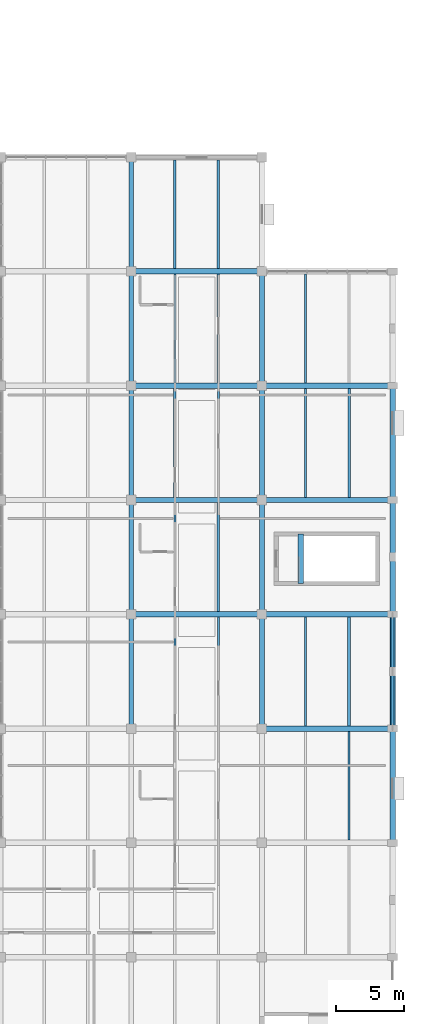
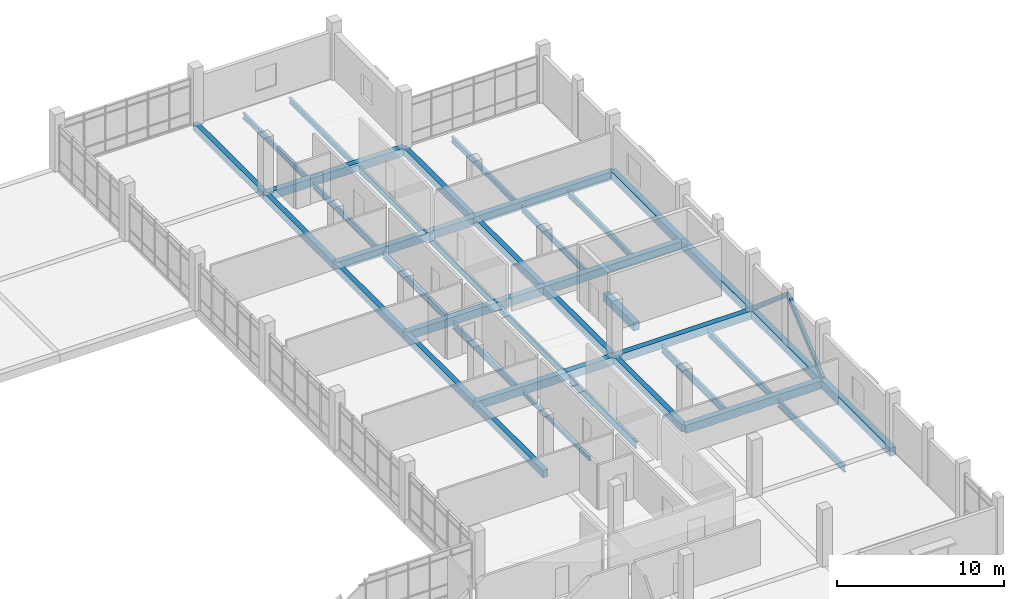
# One storey, part 19 of 57: 38 beams, 2 members.
"""IFC4 building model written with IfcOpenShell, lengths in metres."""

from ifc_helpers import new_model, si_unit, direction, frame, origin, origin_2d, place, context, subcontext, project, spatial, rectangle, hollow_rectangle, i_section, extrude, material, material_profile, profile_set, type_object, element, save


model = new_model("IFC4")

# Units and contexts
model_context = context("Model", 3, precision=1e-05, world=origin(), true_north=direction((0.0, 1.0)))
body_context = subcontext(model_context, "Body", "Model", "MODEL_VIEW")
ifc_project = project(units=[si_unit("LENGTHUNIT", "METRE"), si_unit("AREAUNIT", "SQUARE_METRE"), si_unit("VOLUMEUNIT", "CUBIC_METRE"), si_unit("PLANEANGLEUNIT", "RADIAN"), si_unit("MASSUNIT", "GRAM", prefix="KILO")], contexts=[model_context])

# Site, building, storey
site_placement = place(None, origin())
site = spatial("IfcSite", under=ifc_project, at=site_placement, CompositionType="ELEMENT")
building_placement = place(site_placement, origin())
building = spatial("IfcBuilding", under=site, at=building_placement, Name="Oolite Switchyard Hospital", CompositionType="ELEMENT")
storey_placement = place(building_placement, frame((0.0, 0.0, 17.800048828125)))
storey = spatial("IfcBuildingStorey", under=building, at=storey_placement, Name="L04", CompositionType="ELEMENT", Elevation=17.800048828125)

# Beams
ifc_material_1 = material(Name="Concrete C40/50", Category="concrete")
ifc_material_profile_1 = material_profile(ifc_material_1, rectangle(XDim=0.35009765625, YDim=0.550048828125, at=origin_2d()), Name="RCB350X550")
ifc_profile_set_1 = profile_set([ifc_material_profile_1], Name="Concrete C40/50")
beam_type_1 = type_object("IfcBeamType", Name="BM-RC350X550", PredefinedType="BEAM", material=ifc_profile_set_1)
for number, where, z_axis, x_axis, name in (
    (1, (192.0, 33.60009765625, -0.275146484375), (0.0, 1.0, 0.0), (-1.0, 0.0, 0.0), "L04 Y-Girder 3054"),
    (2, (192.0, 42.0, -0.275146484375), (0.0, 1.0, 0.0), (-1.0, 0.0, 0.0), "L04 Y-Girder 3055"),
):
    element("IfcBeam", number, at=place(storey_placement, frame(where, z_axis=z_axis, x_axis=x_axis)), inside=storey, type_object=beam_type_1, Name=name, PredefinedType="BEAM", context=body_context, shape_type="SweptSolid", body=[
        extrude(rectangle(XDim=0.35009765625, YDim=0.550048828125, at=origin_2d()), origin(), (0.0, 0.0, 1.0), 8.39990234375),
    ])
beam_1_placement = place(storey_placement, frame((192.0, 50.39990234375, -0.275146484375), z_axis=(0.0, 1.0, 0.0), x_axis=(-1.0, 0.0, 0.0)))
element("IfcBeam", 3, at=beam_1_placement, inside=storey, type_object=beam_type_1, Name="L04 Y-Girder 3056", PredefinedType="BEAM", context=body_context, shape_type="SweptSolid", body=[
    extrude(rectangle(XDim=0.35009765625, YDim=0.550048828125, at=origin_2d()), origin(), (0.0, 0.0, 1.0), 8.400146484375),
])
beam_2_placement = place(storey_placement, frame((192.0, 58.800048828125, -0.275146484375), z_axis=(0.0, 1.0, 0.0), x_axis=(-1.0, 0.0, 0.0)))
element("IfcBeam", 4, at=beam_2_placement, inside=storey, type_object=beam_type_1, Name="L04 Y-Girder 3057", PredefinedType="BEAM", context=body_context, shape_type="SweptSolid", body=[
    extrude(rectangle(XDim=0.35009765625, YDim=0.550048828125, at=origin_2d()), origin(), (0.0, 0.0, 1.0), 8.39990234375),
])
beam_3_placement = place(storey_placement, frame((192.0, 67.199951171875, -0.275146484375), z_axis=(0.0, 1.0, 0.0), x_axis=(-1.0, 0.0, 0.0)))
element("IfcBeam", 5, at=beam_3_placement, inside=storey, type_object=beam_type_1, Name="L04 Y-Girder 3058", PredefinedType="BEAM", context=body_context, shape_type="SweptSolid", body=[
    extrude(rectangle(XDim=0.35009765625, YDim=0.550048828125, at=origin_2d()), origin(), (0.0, 0.0, 1.0), 8.400146484375),
])
for number, where, z_axis, x_axis, name in (
    (6, (201.60009765625, 33.60009765625, -0.275146484375), (0.0, 1.0, 0.0), (-1.0, 0.0, 0.0), "L04 Y-Girder 3066"),
    (7, (201.60009765625, 42.0, -0.275146484375), (0.0, 1.0, 0.0), (-1.0, 0.0, 0.0), "L04 Y-Girder 3067"),
):
    element("IfcBeam", number, at=place(storey_placement, frame(where, z_axis=z_axis, x_axis=x_axis)), inside=storey, type_object=beam_type_1, Name=name, PredefinedType="BEAM", context=body_context, shape_type="SweptSolid", body=[
        extrude(rectangle(XDim=0.35009765625, YDim=0.550048828125, at=origin_2d()), origin(), (0.0, 0.0, 1.0), 8.39990234375),
    ])
beam_4_placement = place(storey_placement, frame((201.60009765625, 50.39990234375, -0.275146484375), z_axis=(0.0, 1.0, 0.0), x_axis=(-1.0, 0.0, 0.0)))
element("IfcBeam", 8, at=beam_4_placement, inside=storey, type_object=beam_type_1, Name="L04 Y-Girder 3068", PredefinedType="BEAM", context=body_context, shape_type="SweptSolid", body=[
    extrude(rectangle(XDim=0.35009765625, YDim=0.550048828125, at=origin_2d()), origin(), (0.0, 0.0, 1.0), 8.400146484375),
])
beam_5_placement = place(storey_placement, frame((201.60009765625, 58.800048828125, -0.275146484375), z_axis=(0.0, 1.0, 0.0), x_axis=(-1.0, 0.0, 0.0)))
element("IfcBeam", 9, at=beam_5_placement, inside=storey, type_object=beam_type_1, Name="L04 Y-Girder 3069", PredefinedType="BEAM", context=body_context, shape_type="SweptSolid", body=[
    extrude(rectangle(XDim=0.35009765625, YDim=0.550048828125, at=origin_2d()), origin(), (0.0, 0.0, 1.0), 8.39990234375),
])
ifc_material_profile_2 = material_profile(ifc_material_1, rectangle(XDim=0.39990234375, YDim=0.60009765625, at=origin_2d()), Name="RCB400X600")
ifc_profile_set_2 = profile_set([ifc_material_profile_2], Name="Concrete C40/50")
beam_type_2 = type_object("IfcBeamType", Name="BM-RC400X600", PredefinedType="BEAM", material=ifc_profile_set_2)
beam_6_placement = place(storey_placement, frame((201.60009765625, 33.60009765625, -0.300048828125), z_axis=(1.0, 0.0, 0.0), x_axis=(0.0, 1.0, 0.0)))
element("IfcBeam", 10, at=beam_6_placement, inside=storey, type_object=beam_type_2, Name="L04 X-Girder 2784", PredefinedType="BEAM", context=body_context, shape_type="SweptSolid", body=[
    extrude(rectangle(XDim=0.39990234375, YDim=0.60009765625, at=origin_2d()), origin(), (0.0, 0.0, 1.0), 9.599853515625),
])
beam_7_placement = place(storey_placement, frame((192.0, 42.0, -0.300048828125), z_axis=(1.0, 0.0, 0.0), x_axis=(0.0, 1.0, 0.0)))
element("IfcBeam", 11, at=beam_7_placement, inside=storey, type_object=beam_type_2, Name="L04 X-Girder 2790", PredefinedType="BEAM", context=body_context, shape_type="SweptSolid", body=[
    extrude(rectangle(XDim=0.39990234375, YDim=0.60009765625, at=origin_2d()), origin(), (0.0, 0.0, 1.0), 9.60009765625),
])
beam_8_placement = place(storey_placement, frame((201.60009765625, 42.0, -0.300048828125), z_axis=(1.0, 0.0, 0.0), x_axis=(0.0, 1.0, 0.0)))
element("IfcBeam", 12, at=beam_8_placement, inside=storey, type_object=beam_type_2, Name="L04 X-Girder 2791", PredefinedType="BEAM", context=body_context, shape_type="SweptSolid", body=[
    extrude(rectangle(XDim=0.39990234375, YDim=0.60009765625, at=origin_2d()), origin(), (0.0, 0.0, 1.0), 9.599853515625),
])
beam_9_placement = place(storey_placement, frame((192.0, 50.39990234375, -0.300048828125), z_axis=(1.0, 0.0, 0.0), x_axis=(0.0, 1.0, 0.0)))
element("IfcBeam", 13, at=beam_9_placement, inside=storey, type_object=beam_type_2, Name="L04 X-Girder 2797", PredefinedType="BEAM", context=body_context, shape_type="SweptSolid", body=[
    extrude(rectangle(XDim=0.39990234375, YDim=0.60009765625, at=origin_2d()), origin(), (0.0, 0.0, 1.0), 9.60009765625),
])
beam_10_placement = place(storey_placement, frame((201.60009765625, 50.39990234375, -0.300048828125), z_axis=(1.0, 0.0, 0.0), x_axis=(0.0, 1.0, 0.0)))
element("IfcBeam", 14, at=beam_10_placement, inside=storey, type_object=beam_type_2, Name="L04 X-Girder 2798", PredefinedType="BEAM", context=body_context, shape_type="SweptSolid", body=[
    extrude(rectangle(XDim=0.39990234375, YDim=0.60009765625, at=origin_2d()), origin(), (0.0, 0.0, 1.0), 9.599853515625),
])
beam_11_placement = place(storey_placement, frame((192.0, 58.800048828125, -0.300048828125), z_axis=(1.0, 0.0, 0.0), x_axis=(0.0, 1.0, 0.0)))
element("IfcBeam", 15, at=beam_11_placement, inside=storey, type_object=beam_type_2, Name="L04 X-Girder 2808", PredefinedType="BEAM", context=body_context, shape_type="SweptSolid", body=[
    extrude(rectangle(XDim=0.39990234375, YDim=0.60009765625, at=origin_2d()), origin(), (0.0, 0.0, 1.0), 9.60009765625),
])
beam_12_placement = place(storey_placement, frame((201.60009765625, 58.800048828125, -0.300048828125), z_axis=(1.0, 0.0, 0.0), x_axis=(0.0, 1.0, 0.0)))
element("IfcBeam", 16, at=beam_12_placement, inside=storey, type_object=beam_type_2, Name="L04 X-Girder 2809", PredefinedType="BEAM", context=body_context, shape_type="SweptSolid", body=[
    extrude(rectangle(XDim=0.39990234375, YDim=0.60009765625, at=origin_2d()), origin(), (0.0, 0.0, 1.0), 9.599853515625),
])
beam_13_placement = place(storey_placement, frame((192.0, 67.199951171875, -0.300048828125), z_axis=(1.0, 0.0, 0.0), x_axis=(0.0, 1.0, 0.0)))
element("IfcBeam", 17, at=beam_13_placement, inside=storey, type_object=beam_type_2, Name="L04 X-Girder 2819", PredefinedType="BEAM", context=body_context, shape_type="SweptSolid", body=[
    extrude(rectangle(XDim=0.39990234375, YDim=0.60009765625, at=origin_2d()), origin(), (0.0, 0.0, 1.0), 9.60009765625),
])
beam_14_placement = place(storey_placement, frame((211.199951171875, 25.199951171875, -0.300048828125), z_axis=(0.0, 1.0, 0.0), x_axis=(-1.0, 0.0, 0.0)))
element("IfcBeam", 18, at=beam_14_placement, inside=storey, type_object=beam_type_2, Name="L04 Y-Girder 3076", PredefinedType="BEAM", context=body_context, shape_type="SweptSolid", body=[
    extrude(rectangle(XDim=0.39990234375, YDim=0.60009765625, at=origin_2d()), origin(), (0.0, 0.0, 1.0), 8.400146484375),
])
for number, where, z_axis, x_axis, name in (
    (19, (211.199951171875, 33.60009765625, -0.300048828125), (0.0, 1.0, 0.0), (-1.0, 0.0, 0.0), "L04 Y-Girder 3077"),
    (20, (211.199951171875, 42.0, -0.300048828125), (0.0, 1.0, 0.0), (-1.0, 0.0, 0.0), "L04 Y-Girder 3078"),
):
    element("IfcBeam", number, at=place(storey_placement, frame(where, z_axis=z_axis, x_axis=x_axis)), inside=storey, type_object=beam_type_2, Name=name, PredefinedType="BEAM", context=body_context, shape_type="SweptSolid", body=[
        extrude(rectangle(XDim=0.39990234375, YDim=0.60009765625, at=origin_2d()), origin(), (0.0, 0.0, 1.0), 8.39990234375),
    ])
beam_15_placement = place(storey_placement, frame((211.199951171875, 50.39990234375, -0.300048828125), z_axis=(0.0, 1.0, 0.0), x_axis=(-1.0, 0.0, 0.0)))
element("IfcBeam", 21, at=beam_15_placement, inside=storey, type_object=beam_type_2, Name="L04 Y-Girder 3079", PredefinedType="BEAM", context=body_context, shape_type="SweptSolid", body=[
    extrude(rectangle(XDim=0.39990234375, YDim=0.60009765625, at=origin_2d()), origin(), (0.0, 0.0, 1.0), 8.400146484375),
])
beam_16_placement = place(storey_placement, frame((204.43994140625, 44.25, -0.300048828125), z_axis=(0.0, 1.0, 0.0), x_axis=(-1.0, 0.0, 0.0)))
element("IfcBeam", 22, at=beam_16_placement, inside=storey, type_object=beam_type_2, Name="L04 ST-06 Stair Throat Trimmer Beam", PredefinedType="BEAM", context=body_context, shape_type="SweptSolid", body=[
    extrude(rectangle(XDim=0.39990234375, YDim=0.60009765625, at=origin_2d()), origin(), (0.0, 0.0, 1.0), 3.659912109375),
])
ifc_material_2 = material(Name="Steel ASTM A992 Grade 50", Category="steel")
ifc_material_profile_3 = material_profile(ifc_material_2, i_section(OverallWidth=0.1650390625, OverallDepth=0.31005859375, WebThickness=0.006103515625, FlangeThickness=0.010009765625, at=origin_2d()), Name="W12X26")
ifc_profile_set_3 = profile_set([ifc_material_profile_3], Name="Steel ASTM A992 Grade 50")
beam_type_3 = type_object("IfcBeamType", Name="BM-W12X26", PredefinedType="JOIST", material=ifc_profile_set_3)
beam_17_placement = place(storey_placement, frame((195.199951171875, 33.800048828125, -0.429931640625), z_axis=(0.0, 1.0, 0.0), x_axis=(-1.0, 0.0, 0.0)))
element("IfcBeam", 23, at=beam_17_placement, inside=storey, type_object=beam_type_3, Name="L04 Secondary Steel Joist 3297", PredefinedType="JOIST", context=body_context, shape_type="SweptSolid", body=[
    extrude(i_section(OverallWidth=0.1650390625, OverallDepth=0.31005859375, WebThickness=0.006103515625, FlangeThickness=0.010009765625, at=origin_2d()), origin(), (0.0, 0.0, 1.0), 8.0),
])
ifc_material_profile_4 = material_profile(ifc_material_2, i_section(OverallWidth=0.177978515625, OverallDepth=0.403076171875, WebThickness=0.008056640625, FlangeThickness=0.010986328125, at=origin_2d()), Name="W16X36")
ifc_profile_set_4 = profile_set([ifc_material_profile_4], Name="Steel ASTM A992 Grade 50")
beam_type_4 = type_object("IfcBeamType", Name="BM-W16X36", PredefinedType="JOIST", material=ifc_profile_set_4)
beam_18_placement = place(storey_placement, frame((198.39990234375, 67.39990234375, -0.47607421875), z_axis=(0.0, 1.0, 0.0), x_axis=(-1.0, 0.0, 0.0)))
element("IfcBeam", 24, at=beam_18_placement, inside=storey, type_object=beam_type_4, Name="L04 Secondary Steel Joist 3306", PredefinedType="JOIST", context=body_context, shape_type="SweptSolid", body=[
    extrude(i_section(OverallWidth=0.177978515625, OverallDepth=0.403076171875, WebThickness=0.008056640625, FlangeThickness=0.010986328125, at=origin_2d()), origin(), (0.0, 0.0, 1.0), 8.0),
])
ifc_material_profile_5 = material_profile(ifc_material_2, i_section(OverallWidth=0.179931640625, OverallDepth=0.4130859375, WebThickness=0.010009765625, FlangeThickness=0.01611328125, at=origin_2d()), Name="W16X50")
ifc_profile_set_5 = profile_set([ifc_material_profile_5], Name="Steel ASTM A992 Grade 50")
beam_type_5 = type_object("IfcBeamType", Name="BM-W16X50", PredefinedType="JOIST", material=ifc_profile_set_5)
for number, where, z_axis, x_axis, name in (
    (25, (198.39990234375, 59.0, -0.48095703125), (0.0, 1.0, 0.0), (-1.0, 0.0, 0.0), "L04 Secondary Steel Joist 3304"),
    (26, (195.199951171875, 67.39990234375, -0.48095703125), (0.0, 1.0, 0.0), (-1.0, 0.0, 0.0), "L04 Secondary Steel Joist 3305"),
    (27, (208.0, 50.60009765625, -0.48095703125), (0.0, 1.0, 0.0), (-1.0, 0.0, 0.0), "L04 Secondary Steel Joist 3320"),
    (28, (204.800048828125, 59.0, -0.48095703125), (0.0, 1.0, 0.0), (-1.0, 0.0, 0.0), "L04 Secondary Steel Joist 3321"),
):
    element("IfcBeam", number, at=place(storey_placement, frame(where, z_axis=z_axis, x_axis=x_axis)), inside=storey, type_object=beam_type_5, Name=name, PredefinedType="JOIST", context=body_context, shape_type="SweptSolid", body=[
        extrude(i_section(OverallWidth=0.179931640625, OverallDepth=0.4130859375, WebThickness=0.010009765625, FlangeThickness=0.01611328125, at=origin_2d()), origin(), (0.0, 0.0, 1.0), 8.0),
    ])
ifc_material_profile_6 = material_profile(ifc_material_2, i_section(OverallWidth=0.153076171875, OverallDepth=0.455078125, WebThickness=0.008056640625, FlangeThickness=0.012939453125, at=origin_2d()), Name="W18X40")
ifc_profile_set_6 = profile_set([ifc_material_profile_6], Name="Steel ASTM A992 Grade 50")
beam_type_6 = type_object("IfcBeamType", Name="BM-W18X40", PredefinedType="JOIST", material=ifc_profile_set_6)
for number, where, z_axis, x_axis, name in (
    (29, (198.39990234375, 50.60009765625, -0.501953125), (0.0, 1.0, 0.0), (-1.0, 0.0, 0.0), "L04 Secondary Steel Joist 3302"),
    (30, (195.199951171875, 59.0, -0.501953125), (0.0, 1.0, 0.0), (-1.0, 0.0, 0.0), "L04 Secondary Steel Joist 3303"),
    (31, (204.800048828125, 50.60009765625, -0.501953125), (0.0, 1.0, 0.0), (-1.0, 0.0, 0.0), "L04 Secondary Steel Joist 3319"),
):
    element("IfcBeam", number, at=place(storey_placement, frame(where, z_axis=z_axis, x_axis=x_axis)), inside=storey, type_object=beam_type_6, Name=name, PredefinedType="JOIST", context=body_context, shape_type="SweptSolid", body=[
        extrude(i_section(OverallWidth=0.153076171875, OverallDepth=0.455078125, WebThickness=0.008056640625, FlangeThickness=0.012939453125, at=origin_2d()), origin(), (0.0, 0.0, 1.0), 8.0),
    ])
ifc_material_profile_7 = material_profile(ifc_material_2, i_section(OverallWidth=0.19091796875, OverallDepth=0.4599609375, WebThickness=0.010009765625, FlangeThickness=0.01611328125, at=origin_2d()), Name="W18X55")
ifc_profile_set_7 = profile_set([ifc_material_profile_7], Name="Steel ASTM A992 Grade 50")
beam_type_7 = type_object("IfcBeamType", Name="BM-W18X55", PredefinedType="JOIST", material=ifc_profile_set_7)
for number, where, z_axis, x_axis, name in (
    (32, (198.39990234375, 42.199951171875, -0.505126953125), (0.0, 1.0, 0.0), (-1.0, 0.0, 0.0), "L04 Secondary Steel Joist 3300"),
    (33, (195.199951171875, 50.60009765625, -0.505126953125), (0.0, 1.0, 0.0), (-1.0, 0.0, 0.0), "L04 Secondary Steel Joist 3301"),
    (34, (208.0, 33.800048828125, -0.505126953125), (0.0, 1.0, 0.0), (-1.0, 0.0, 0.0), "L04 Secondary Steel Joist 3318"),
):
    element("IfcBeam", number, at=place(storey_placement, frame(where, z_axis=z_axis, x_axis=x_axis)), inside=storey, type_object=beam_type_7, Name=name, PredefinedType="JOIST", context=body_context, shape_type="SweptSolid", body=[
        extrude(i_section(OverallWidth=0.19091796875, OverallDepth=0.4599609375, WebThickness=0.010009765625, FlangeThickness=0.01611328125, at=origin_2d()), origin(), (0.0, 0.0, 1.0), 8.0),
    ])
ifc_material_profile_8 = material_profile(ifc_material_2, i_section(OverallWidth=0.166015625, OverallDepth=0.529052734375, WebThickness=0.010009765625, FlangeThickness=0.013916015625, at=origin_2d()), Name="W21X50")
ifc_profile_set_8 = profile_set([ifc_material_profile_8], Name="Steel ASTM A992 Grade 50")
beam_type_8 = type_object("IfcBeamType", Name="BM-W21X50", PredefinedType="JOIST", material=ifc_profile_set_8)
for number, where, z_axis, x_axis, name in (
    (35, (198.39990234375, 33.800048828125, -0.5400390625), (0.0, 1.0, 0.0), (-1.0, 0.0, 0.0), "L04 Secondary Steel Joist 3298"),
    (36, (195.199951171875, 42.199951171875, -0.5400390625), (0.0, 1.0, 0.0), (-1.0, 0.0, 0.0), "L04 Secondary Steel Joist 3299"),
    (37, (208.0, 25.39990234375, -0.5400390625), (0.0, 1.0, 0.0), (-1.0, 0.0, 0.0), "L04 Secondary Steel Joist 3316"),
    (38, (204.800048828125, 33.800048828125, -0.5400390625), (0.0, 1.0, 0.0), (-1.0, 0.0, 0.0), "L04 Secondary Steel Joist 3317"),
):
    element("IfcBeam", number, at=place(storey_placement, frame(where, z_axis=z_axis, x_axis=x_axis)), inside=storey, type_object=beam_type_8, Name=name, PredefinedType="JOIST", context=body_context, shape_type="SweptSolid", body=[
        extrude(i_section(OverallWidth=0.166015625, OverallDepth=0.529052734375, WebThickness=0.010009765625, FlangeThickness=0.013916015625, at=origin_2d()), origin(), (0.0, 0.0, 1.0), 8.0),
    ])

# Members
ifc_material_3 = material(Name="Steel ASTM A500 Grade C", Category="steel")
ifc_material_profile_9 = material_profile(ifc_material_3, hollow_rectangle(XDim=0.202880859375, YDim=0.304931640625, WallThickness=0.012939453125, at=origin_2d()), Name="HSS305X203X13")
ifc_profile_set_9 = profile_set([ifc_material_profile_9], Name="Steel ASTM A500 Grade C")
member_type = type_object("IfcMemberType", Name="MEM-BR-RHS305", PredefinedType="BRACE", material=ifc_profile_set_9)
for number, where, z_axis, x_axis, name in (
    (39, (211.199951171875, 33.60009765625, 0.02001953125), (0.0, 0.761055549142, 0.648686712612), (-1.0, 0.0, 0.0), "L04 Chevron Brace 79"),
    (40, (211.199951171875, 42.0, 0.02001953125), (0.0, -0.761055549142, 0.648686712612), (1.0, 0.0, 0.0), "L04 Chevron Brace 80"),
):
    element("IfcMember", number, at=place(storey_placement, frame(where, z_axis=z_axis, x_axis=x_axis)), inside=storey, type_object=member_type, Name=name, PredefinedType="BRACE", context=body_context, shape_type="SweptSolid", body=[
        extrude(hollow_rectangle(XDim=0.202880859375, YDim=0.304931640625, WallThickness=0.012939453125, at=origin_2d()), origin(), (0.0, 0.0, 1.0), 5.5185546875),
    ])

save(model, "model.ifc")
